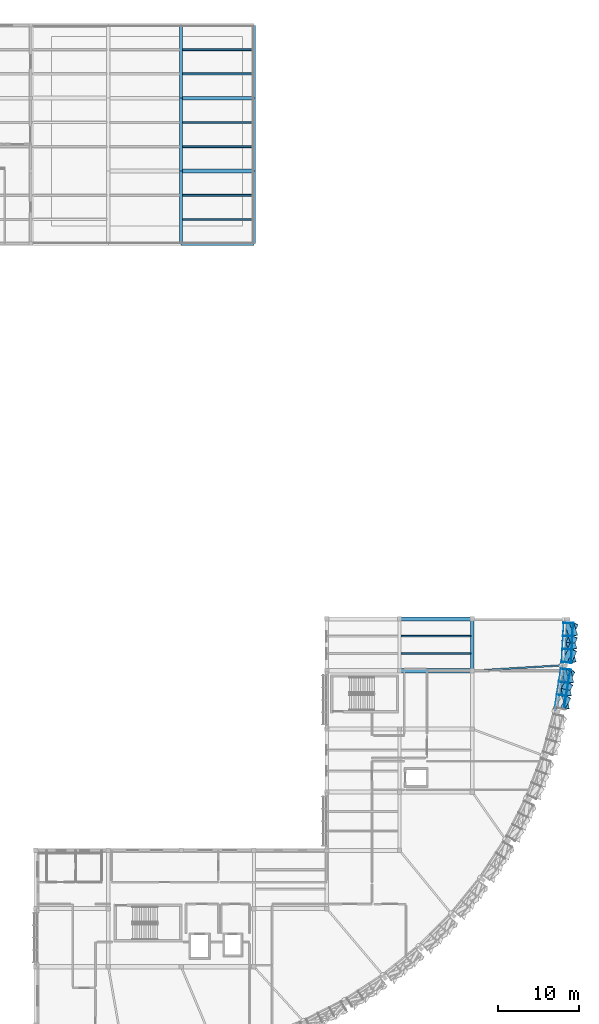
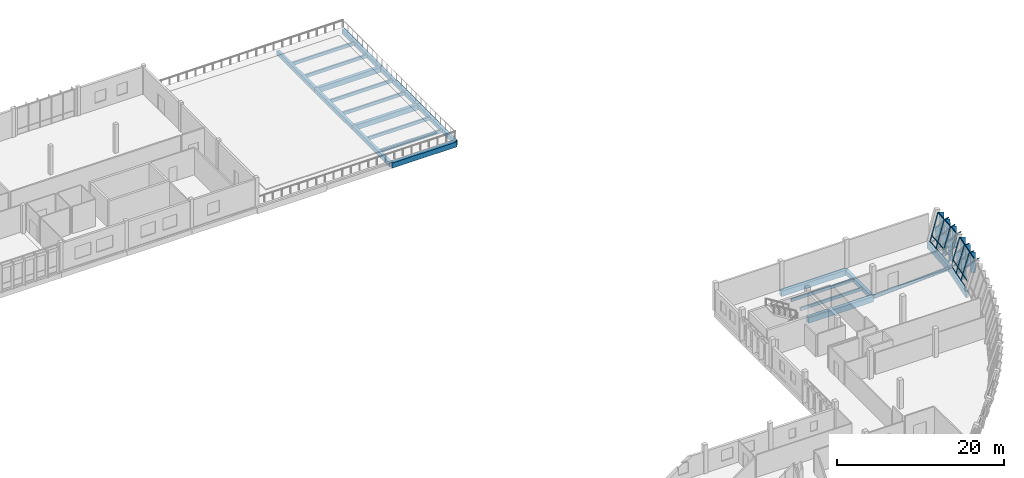
# One storey, part 59 of 94: 35 members, 23 beams, 2 elements without a shape of their own.
"""IFC4 building model written with IfcOpenShell, lengths in metres."""

from ifc_helpers import new_model, si_unit, direction, frame, origin, origin_2d, place, context, subcontext, project, spatial, rectangle, hollow_rectangle, i_section, extrude, material, material_profile, profile_set, type_object, element, aggregate, save


model = new_model("IFC4")

# Units and contexts
model_context = context("Model", 3, precision=1e-05, world=origin(), true_north=direction((0.0, 1.0)))
body_context = subcontext(model_context, "Body", "Model", "MODEL_VIEW")
ifc_project = project(units=[si_unit("LENGTHUNIT", "METRE"), si_unit("AREAUNIT", "SQUARE_METRE"), si_unit("VOLUMEUNIT", "CUBIC_METRE"), si_unit("PLANEANGLEUNIT", "RADIAN"), si_unit("MASSUNIT", "GRAM", prefix="KILO")], contexts=[model_context])

# Site, building, storey
site_placement = place(None, origin())
site = spatial("IfcSite", under=ifc_project, at=site_placement, CompositionType="ELEMENT")
building_placement = place(site_placement, origin())
building = spatial("IfcBuilding", under=site, at=building_placement, Name="Chiffa Square Polytechnic", CompositionType="ELEMENT")
storey_placement = place(building_placement, frame((0.0, 0.0, 18.0)))
storey = spatial("IfcBuildingStorey", under=building, at=storey_placement, Name="L04", CompositionType="ELEMENT", Elevation=18.0)

# Beams
ifc_material_1 = material(Name="Concrete C35/45", Category="concrete")
ifc_material_profile_1 = material_profile(ifc_material_1, rectangle(XDim=0.39990234375, YDim=0.64990234375, at=origin_2d()), Name="RC 400x650")
ifc_profile_set_1 = profile_set([ifc_material_profile_1], Name="Concrete C35/45")
beam_type_1 = type_object("IfcBeamType", Name="BM-RC-400X650", PredefinedType="BEAM", material=ifc_profile_set_1)
beam_1_placement = place(storey_placement, frame((166.199951171875, 51.0, -0.56494140625), z_axis=(0.0, 1.0, 0.0), x_axis=(-1.0, 0.0, 0.0)))
element("IfcBeam", 1, at=beam_1_placement, inside=storey, type_object=beam_type_1, Name="Primary floor girder BM-V1-L04-Y-1662-0510", PredefinedType="BEAM", context=body_context, shape_type="SweptSolid", body=[
    extrude(rectangle(XDim=0.39990234375, YDim=0.64990234375, at=origin_2d()), origin(), (0.0, 0.0, 1.0), 6.419921875),
])
for number, where, z_axis, x_axis, name in (
    (2, (130.199951171875, 103.800048828125, -0.56494140625), (0.0, 1.0, 0.0), (-1.0, 0.0, 0.0), "Primary floor girder BM-V5-L04-Y-1302-1038"),
    (3, (130.199951171875, 112.800048828125, -0.56494140625), (0.0, 1.0, 0.0), (-1.0, 0.0, 0.0), "Primary floor girder BM-V5-L04-Y-1302-1128"),
    (4, (130.199951171875, 121.800048828125, -0.56494140625), (0.0, 1.0, 0.0), (-1.0, 0.0, 0.0), "Primary floor girder BM-V5-L04-Y-1302-1218"),
    (5, (139.199951171875, 103.800048828125, -0.56494140625), (0.0, 1.0, 0.0), (-1.0, 0.0, 0.0), "Primary floor girder BM-V5-L04-Y-1392-1038"),
    (6, (139.199951171875, 112.800048828125, -0.56494140625), (0.0, 1.0, 0.0), (-1.0, 0.0, 0.0), "Primary floor girder BM-V5-L04-Y-1392-1128"),
    (7, (139.199951171875, 121.800048828125, -0.56494140625), (0.0, 1.0, 0.0), (-1.0, 0.0, 0.0), "Primary floor girder BM-V5-L04-Y-1392-1218"),
):
    element("IfcBeam", number, at=place(storey_placement, frame(where, z_axis=z_axis, x_axis=x_axis)), inside=storey, type_object=beam_type_1, Name=name, PredefinedType="BEAM", context=body_context, shape_type="SweptSolid", body=[
        extrude(rectangle(XDim=0.39990234375, YDim=0.64990234375, at=origin_2d()), origin(), (0.0, 0.0, 1.0), 9.0),
    ])
ifc_material_profile_2 = material_profile(ifc_material_1, rectangle(XDim=0.449951171875, YDim=0.75, at=origin_2d()), Name="RC 450x750")
ifc_profile_set_2 = profile_set([ifc_material_profile_2], Name="Concrete C35/45")
beam_type_2 = type_object("IfcBeamType", Name="BM-RC-450X750", PredefinedType="BEAM", material=ifc_profile_set_2)
for number, where, z_axis, x_axis, name in (
    (8, (130.199951171875, 103.800048828125, -0.614990234375), (1.0, 0.0, 0.0), (0.0, 1.0, 0.0), "Primary floor girder BM-V5-L04-X-1302-1038"),
    (9, (130.199951171875, 112.800048828125, -0.614990234375), (1.0, 0.0, 0.0), (0.0, 1.0, 0.0), "Primary floor girder BM-V5-L04-X-1302-1128"),
    (10, (130.199951171875, 121.800048828125, -0.614990234375), (1.0, 0.0, 0.0), (0.0, 1.0, 0.0), "Primary floor girder BM-V5-L04-X-1302-1218"),
):
    element("IfcBeam", number, at=place(storey_placement, frame(where, z_axis=z_axis, x_axis=x_axis)), inside=storey, type_object=beam_type_2, Name=name, PredefinedType="BEAM", context=body_context, shape_type="SweptSolid", body=[
        extrude(rectangle(XDim=0.449951171875, YDim=0.75, at=origin_2d()), origin(), (0.0, 0.0, 1.0), 9.0),
    ])
ifc_material_2 = material(Name="Concrete C40/50", Category="concrete")
ifc_material_profile_3 = material_profile(ifc_material_2, rectangle(XDim=0.5, YDim=0.800048828125, at=origin_2d()), Name="RC 500x800")
ifc_profile_set_3 = profile_set([ifc_material_profile_3], Name="Concrete C40/50")
beam_type_3 = type_object("IfcBeamType", Name="BM-RC-500X800", PredefinedType="BEAM", material=ifc_profile_set_3)
for number, where, z_axis, x_axis, name in (
    (11, (157.199951171875, 51.0, -0.639892578125), (1.0, 0.0, 0.0), (0.0, 1.0, 0.0), "Primary floor girder BM-V1-L04-X-1572-0510"),
    (12, (157.199951171875, 57.419921875, -0.639892578125), (1.0, 0.0, 0.0), (0.0, 1.0, 0.0), "Primary floor girder BM-V1-L04-X-1572-0574"),
):
    element("IfcBeam", number, at=place(storey_placement, frame(where, z_axis=z_axis, x_axis=x_axis)), inside=storey, type_object=beam_type_3, Name=name, PredefinedType="BEAM", context=body_context, shape_type="SweptSolid", body=[
        extrude(rectangle(XDim=0.5, YDim=0.800048828125, at=origin_2d()), origin(), (0.0, 0.0, 1.0), 9.0),
    ])
ifc_material_3 = material(Name="Steel S355", Category="steel")
ifc_material_profile_4 = material_profile(ifc_material_3, i_section(OverallWidth=0.199951171875, OverallDepth=0.5, WebThickness=0.01025390625, FlangeThickness=0.01611328125, FilletRadius=0.02099609375, at=origin_2d()), Name="IPE 500")
ifc_profile_set_4 = profile_set([ifc_material_profile_4], Name="Steel S355")
beam_type_4 = type_object("IfcBeamType", Name="BM-STL-IPE500", PredefinedType="BEAM", material=ifc_profile_set_4)
beam_2_placement = place(storey_placement, frame((177.279052734375, 51.666015625, -0.489990234375), z_axis=(-0.998198000691, -0.060006261478, 0.0), x_axis=(0.060006261478, -0.998198000691, 0.0)))
element("IfcBeam", 13, at=beam_2_placement, inside=storey, type_object=beam_type_4, Name="Prow radial tie girder BM-V1-RAD-L04-17", PredefinedType="BEAM", context=body_context, shape_type="SweptSolid", body=[
    extrude(i_section(OverallWidth=0.199951171875, OverallDepth=0.5, WebThickness=0.01025390625, FlangeThickness=0.01611328125, FilletRadius=0.02099609375, at=origin_2d()), origin(), (0.0, 0.0, 1.0), 11.09912109375),
])

# Curtain wall, members
ifc_material_4 = material(Name="Aluminium EN AW-6060 T66 and glulam shading", Category="wood")
curtain_wall_type_1 = type_object("IfcCurtainWallType", Name="CW-PROW-LEAN-300", PredefinedType="USERDEFINED", material=ifc_material_4)
curtain_wall_1_placement = place(storey_placement, origin())
curtain_wall_1 = element("IfcCurtainWall", 14, at=curtain_wall_1_placement, inside=storey, type_object=curtain_wall_type_1, Name="Outward-leaning diamond-fin prow curtain wall CW-V1-L04-076", ObjectType="CURTAIN WALL", PredefinedType="USERDEFINED")
ifc_material_5 = material(Name="Aluminium EN AW-6060 T66", Category="aluminium")
ifc_material_profile_5 = material_profile(ifc_material_5, hollow_rectangle(XDim=0.06494140625, YDim=0.179931640625, WallThickness=0.00390625, at=origin_2d()), Name="ALU 65x180x4")
ifc_profile_set_5 = profile_set([ifc_material_profile_5], Name="Aluminium EN AW-6060 T66")
member_type_1 = type_object("IfcMemberType", Name="CWM-ALU-75X180", PredefinedType="MULLION", material=ifc_profile_set_5)
member_1_placement = place(storey_placement, frame((176.7080078125, 48.059814453125, 0.0), z_axis=(0.267746512572, -0.047109074595, 0.962337020018), x_axis=(0.173284786211, 0.984871759605, 0.0)))
member_1 = element("IfcMember", 15, at=member_1_placement, type_object=member_type_1, Name="Leaning prow mullion CW-V1-L04-076-M01", PredefinedType="MULLION", context=body_context, shape_type="SweptSolid", body=[
    extrude(hollow_rectangle(XDim=0.06494140625, YDim=0.179931640625, WallThickness=0.00390625, at=origin_2d()), origin(), (0.0, 0.0, 1.0), 4.09423828125),
])
member_2_placement = place(storey_placement, frame((176.9599609375, 49.650390625, 0.0), z_axis=(0.269347703956, -0.037686019238, 0.962305345682), x_axis=(0.138566130568, 0.990353183192, 0.0)))
member_2 = element("IfcMember", 16, at=member_2_placement, type_object=member_type_1, Name="Leaning prow mullion CW-V1-L04-076-M02", PredefinedType="MULLION", context=body_context, shape_type="SweptSolid", body=[
    extrude(hollow_rectangle(XDim=0.06494140625, YDim=0.179931640625, WallThickness=0.00390625, at=origin_2d()), origin(), (0.0, 0.0, 1.0), 4.09423828125),
])
member_3_placement = place(storey_placement, frame((177.2119140625, 51.240966796875, 0.0), z_axis=(0.270868337882, -0.028321034667, 0.962199699921), x_axis=(0.103989595619, 0.994578385047, 0.0)))
member_3 = element("IfcMember", 17, at=member_3_placement, type_object=member_type_1, Name="Leaning prow mullion CW-V1-L04-076-M03", PredefinedType="MULLION", context=body_context, shape_type="SweptSolid", body=[
    extrude(hollow_rectangle(XDim=0.06494140625, YDim=0.179931640625, WallThickness=0.00390625, at=origin_2d()), origin(), (0.0, 0.0, 1.0), 4.0947265625),
])

curtain_wall_type_2 = type_object("IfcCurtainWallType", Name="CW-PROW-LEAN-150", PredefinedType="USERDEFINED", material=ifc_material_4)
curtain_wall_2_placement = place(storey_placement, origin())
curtain_wall_2 = element("IfcCurtainWall", 18, at=curtain_wall_2_placement, inside=storey, type_object=curtain_wall_type_2, Name="Outward-leaning diamond-fin prow curtain wall CW-V1-L04-077", ObjectType="CURTAIN WALL", PredefinedType="USERDEFINED")
member_4_placement = place(storey_placement, frame((177.302001953125, 52.094970703125, 0.0), z_axis=(0.270813087849, -0.028321492014, 0.962215238156), x_axis=(0.104012243066, 0.99457601685, 0.0)))
member_4 = element("IfcMember", 19, at=member_4_placement, type_object=member_type_1, Name="Leaning prow mullion CW-V1-L04-077-M00", PredefinedType="MULLION", context=body_context, shape_type="SweptSolid", body=[
    extrude(hollow_rectangle(XDim=0.06494140625, YDim=0.179931640625, WallThickness=0.00390625, at=origin_2d()), origin(), (0.0, 0.0, 1.0), 4.0947265625),
])
member_5_placement = place(storey_placement, frame((177.385986328125, 53.70361328125, 0.0), z_axis=(0.271370592416, -0.018902324279, 0.962289303541), x_axis=(0.069486656404, 0.997582881059, 0.0)))
member_5 = element("IfcMember", 20, at=member_5_placement, type_object=member_type_1, Name="Leaning prow mullion CW-V1-L04-077-M01", PredefinedType="MULLION", context=body_context, shape_type="SweptSolid", body=[
    extrude(hollow_rectangle(XDim=0.06494140625, YDim=0.179931640625, WallThickness=0.00390625, at=origin_2d()), origin(), (0.0, 0.0, 1.0), 4.09423828125),
])
member_6_placement = place(storey_placement, frame((177.469970703125, 55.312255859375, 0.0), z_axis=(0.271848900992, -0.00942139205, 0.962293828517), x_axis=(0.034635928801, 0.999399996216, 0.0)))
member_6 = element("IfcMember", 21, at=member_6_placement, type_object=member_type_1, Name="Leaning prow mullion CW-V1-L04-077-M02", PredefinedType="MULLION", context=body_context, shape_type="SweptSolid", body=[
    extrude(hollow_rectangle(XDim=0.06494140625, YDim=0.179931640625, WallThickness=0.00390625, at=origin_2d()), origin(), (0.0, 0.0, 1.0), 4.09423828125),
])
member_7_placement = place(storey_placement, frame((177.553955078125, 56.9208984375, 0.0), z_axis=(0.272302676243, 0.0, 0.962211646422), x_axis=(0.0, 1.0, 0.0)))
member_7 = element("IfcMember", 22, at=member_7_placement, type_object=member_type_1, Name="Leaning prow mullion CW-V1-L04-077-M03", PredefinedType="MULLION", context=body_context, shape_type="SweptSolid", body=[
    extrude(hollow_rectangle(XDim=0.06494140625, YDim=0.179931640625, WallThickness=0.00390625, at=origin_2d()), origin(), (0.0, 0.0, 1.0), 4.0947265625),
])

# Member
ifc_material_6 = material(Name="Glulam GL28h", Category="wood")
ifc_material_profile_6 = material_profile(ifc_material_6, rectangle(XDim=0.080078125, YDim=0.580078125, at=origin_2d()), Name="GL28h 80x580")
ifc_profile_set_6 = profile_set([ifc_material_profile_6], Name="Glulam GL28h")
member_type_2 = type_object("IfcMemberType", Name="CWM-GL-80X580", PredefinedType="MULLION", material=ifc_profile_set_6)
member_8_placement = place(storey_placement, frame((177.385009765625, 46.383056640625, 1.969970703125), z_axis=(0.30934733626, 0.541778013008, 0.781524670225), x_axis=(-0.518596150402, -0.592759406923, 0.61619340981)))
member_8 = element("IfcMember", 23, at=member_8_placement, type_object=member_type_2, Name="Diamond glulam fin CW-V1-L04-076-DF02A", PredefinedType="MULLION", context=body_context, shape_type="SweptSolid", body=[
    extrude(rectangle(XDim=0.080078125, YDim=0.580078125, at=origin_2d()), origin(), (0.0, 0.0, 1.0), 2.469482421875),
])

member_9_placement = place(storey_placement, frame((177.612060546875, 47.81591796875, 1.969970703125), z_axis=(0.123192284973, -0.620175639864, 0.77472952483), x_axis=(0.004351113162, 0.781006122906, 0.624508209552)))
member_9 = element("IfcMember", 24, at=member_9_placement, type_object=member_type_2, Name="Diamond glulam fin CW-V1-L04-076-DF02B", PredefinedType="MULLION", context=body_context, shape_type="SweptSolid", body=[
    extrude(rectangle(XDim=0.080078125, YDim=0.580078125, at=origin_2d()), origin(), (0.0, 0.0, 1.0), 2.4912109375),
])

member_10_placement = place(storey_placement, frame((177.10302734375, 48.0869140625, 0.0400390625), z_axis=(0.309621958021, 0.542060785108, 0.781219782366), x_axis=(-0.518540099286, -0.592416276937, 0.616570450356)))
member_10 = element("IfcMember", 25, at=member_10_placement, type_object=member_type_2, Name="Diamond glulam fin CW-V1-L04-076-DF03A", PredefinedType="MULLION", context=body_context, shape_type="SweptSolid", body=[
    extrude(rectangle(XDim=0.080078125, YDim=0.580078125, at=origin_2d()), origin(), (0.0, 0.0, 1.0), 2.470458984375),
])

member_11_placement = place(storey_placement, frame((177.327880859375, 49.5029296875, 0.0400390625), z_axis=(0.126794170464, -0.611240798378, 0.781222071331), x_axis=(-0.003549446021, 0.787293954019, 0.616567621107)))
member_11 = element("IfcMember", 26, at=member_11_placement, type_object=member_type_2, Name="Diamond glulam fin CW-V1-L04-076-DF03B", PredefinedType="MULLION", context=body_context, shape_type="SweptSolid", body=[
    extrude(rectangle(XDim=0.080078125, YDim=0.580078125, at=origin_2d()), origin(), (0.0, 0.0, 1.0), 2.470458984375),
])

member_12_placement = place(storey_placement, frame((177.64111328125, 47.992919921875, 1.969970703125), z_axis=(0.309172516444, 0.546785523351, 0.778098931069), x_axis=(-0.514439823064, -0.591984151556, 0.620408279081)))
member_12 = element("IfcMember", 27, at=member_12_placement, type_object=member_type_2, Name="Diamond glulam fin CW-V1-L04-076-DF04A", PredefinedType="MULLION", context=body_context, shape_type="SweptSolid", body=[
    extrude(rectangle(XDim=0.080078125, YDim=0.580078125, at=origin_2d()), origin(), (0.0, 0.0, 1.0), 2.480224609375),
])

member_13_placement = place(storey_placement, frame((177.867919921875, 49.426025390625, 1.969970703125), z_axis=(0.125029481071, -0.615401012737, 0.778234683361), x_axis=(0.000263708741, 0.784410353879, 0.620242152055)))
member_13 = element("IfcMember", 28, at=member_13_placement, type_object=member_type_2, Name="Diamond glulam fin CW-V1-L04-076-DF04B", PredefinedType="MULLION", context=body_context, shape_type="SweptSolid", body=[
    extrude(rectangle(XDim=0.080078125, YDim=0.580078125, at=origin_2d()), origin(), (0.0, 0.0, 1.0), 2.47998046875),
])

member_14_placement = place(storey_placement, frame((177.35498046875, 49.677978515625, 0.0400390625), z_axis=(0.309500907934, 0.547185012692, 0.777687437132), x_axis=(-0.514323747962, -0.591557367971, 0.620911396805)))
member_14 = element("IfcMember", 29, at=member_14_placement, type_object=member_type_2, Name="Diamond glulam fin CW-V1-L04-076-DF05A", PredefinedType="MULLION", context=body_context, shape_type="SweptSolid", body=[
    extrude(rectangle(XDim=0.080078125, YDim=0.580078125, at=origin_2d()), origin(), (0.0, 0.0, 1.0), 2.481689453125),
])

member_15_placement = place(storey_placement, frame((177.580078125, 51.093994140625, 0.0400390625), z_axis=(0.128466289397, -0.606293376621, 0.784795995119), x_axis=(-0.007637528127, 0.790724921718, 0.612123979548)))
member_15 = element("IfcMember", 30, at=member_15_placement, type_object=member_type_2, Name="Diamond glulam fin CW-V1-L04-076-DF05B", PredefinedType="MULLION", context=body_context, shape_type="SweptSolid", body=[
    extrude(rectangle(XDim=0.080078125, YDim=0.580078125, at=origin_2d()), origin(), (0.0, 0.0, 1.0), 2.459228515625),
])

member_16_placement = place(storey_placement, frame((177.89599609375, 49.60302734375, 1.969970703125), z_axis=(0.309043204592, 0.551848867553, 0.774567702061), x_axis=(-0.510293365715, -0.591054651358, 0.624703993917)))
member_16 = element("IfcMember", 31, at=member_16_placement, type_object=member_type_2, Name="Diamond glulam fin CW-V1-L04-076-DF06A", PredefinedType="MULLION", context=body_context, shape_type="SweptSolid", body=[
    extrude(rectangle(XDim=0.080078125, YDim=0.580078125, at=origin_2d()), origin(), (0.0, 0.0, 1.0), 2.49169921875),
])

member_17_placement = place(storey_placement, frame((178.123046875, 51.035888671875, 1.969970703125), z_axis=(0.126765818943, -0.610690871914, 0.781656629287), x_axis=(-0.003742632036, 0.787713718568, 0.616030105015)))
member_17 = element("IfcMember", 32, at=member_17_placement, type_object=member_type_2, Name="Diamond glulam fin CW-V1-L04-076-DF06B", PredefinedType="MULLION", context=body_context, shape_type="SweptSolid", body=[
    extrude(rectangle(XDim=0.080078125, YDim=0.580078125, at=origin_2d()), origin(), (0.0, 0.0, 1.0), 2.468994140625),
])

member_18_placement = place(storey_placement, frame((177.69189453125, 52.1630859375, 0.0400390625), z_axis=(0.251759634088, 0.566359902395, 0.784763370452), x_axis=(-0.366156197717, -0.69486357201, 0.618946084216)))
member_18 = element("IfcMember", 33, at=member_18_placement, type_object=member_type_2, Name="Diamond glulam fin CW-V1-L04-077-DF01A", PredefinedType="MULLION", context=body_context, shape_type="SweptSolid", body=[
    extrude(rectangle(XDim=0.080078125, YDim=0.580078125, at=origin_2d()), origin(), (0.0, 0.0, 1.0), 2.459228515625),
])

member_19_placement = place(storey_placement, frame((177.76708984375, 53.594970703125, 0.0400390625), z_axis=(0.188980825465, -0.5996033999, 0.777664458771), x_axis=(-0.183529818259, 0.756413507135, 0.627817976833)))
member_19 = element("IfcMember", 34, at=member_19_placement, type_object=member_type_2, Name="Diamond glulam fin CW-V1-L04-077-DF01B", PredefinedType="MULLION", context=body_context, shape_type="SweptSolid", body=[
    extrude(rectangle(XDim=0.080078125, YDim=0.580078125, at=origin_2d()), origin(), (0.0, 0.0, 1.0), 2.481689453125),
])

member_20_placement = place(storey_placement, frame((178.236083984375, 52.10693359375, 1.969970703125), z_axis=(0.25066175084, 0.571133046489, 0.781649365044), x_axis=(-0.361624710379, -0.693735436997, 0.622863317509)))
member_20 = element("IfcMember", 35, at=member_20_placement, type_object=member_type_2, Name="Diamond glulam fin CW-V1-L04-077-DF02A", PredefinedType="MULLION", context=body_context, shape_type="SweptSolid", body=[
    extrude(rectangle(XDim=0.080078125, YDim=0.580078125, at=origin_2d()), origin(), (0.0, 0.0, 1.0), 2.468994140625),
])

member_21_placement = place(storey_placement, frame((178.31103515625, 53.555908203125, 1.969970703125), z_axis=(0.187833957204, -0.603968968288, 0.774557867345), x_axis=(-0.179729708699, 0.754143823981, 0.631636228032)))
member_21 = element("IfcMember", 36, at=member_21_placement, type_object=member_type_2, Name="Diamond glulam fin CW-V1-L04-077-DF02B", PredefinedType="MULLION", context=body_context, shape_type="SweptSolid", body=[
    extrude(rectangle(XDim=0.080078125, YDim=0.580078125, at=origin_2d()), origin(), (0.0, 0.0, 1.0), 2.49169921875),
])

member_22_placement = place(storey_placement, frame((177.77587890625, 53.77197265625, 0.0400390625), z_axis=(0.251011573149, 0.571594857911, 0.781199403836), x_axis=(-0.361593753936, -0.693245951778, 0.623426024046)))
member_22 = element("IfcMember", 37, at=member_22_placement, type_object=member_type_2, Name="Diamond glulam fin CW-V1-L04-077-DF03A", PredefinedType="MULLION", context=body_context, shape_type="SweptSolid", body=[
    extrude(rectangle(XDim=0.080078125, YDim=0.580078125, at=origin_2d()), origin(), (0.0, 0.0, 1.0), 2.470458984375),
])

member_23_placement = place(storey_placement, frame((177.85107421875, 55.2041015625, 0.0400390625), z_axis=(0.190231751024, -0.594610101772, 0.781185450308), x_axis=(-0.187863700622, 0.758963425643, 0.623443460568)))
member_23 = element("IfcMember", 38, at=member_23_placement, type_object=member_type_2, Name="Diamond glulam fin CW-V1-L04-077-DF03B", PredefinedType="MULLION", context=body_context, shape_type="SweptSolid", body=[
    extrude(rectangle(XDim=0.080078125, YDim=0.580078125, at=origin_2d()), origin(), (0.0, 0.0, 1.0), 2.470458984375),
])

member_24_placement = place(storey_placement, frame((178.321044921875, 53.735107421875, 1.969970703125), z_axis=(0.249940857541, 0.576173233237, 0.778173485177), x_axis=(-0.35727345602, -0.69209107707, 0.627188662735)))
member_24 = element("IfcMember", 39, at=member_24_placement, type_object=member_type_2, Name="Diamond glulam fin CW-V1-L04-077-DF04A", PredefinedType="MULLION", context=body_context, shape_type="SweptSolid", body=[
    extrude(rectangle(XDim=0.080078125, YDim=0.580078125, at=origin_2d()), origin(), (0.0, 0.0, 1.0), 2.47998046875),
])

member_25_placement = place(storey_placement, frame((178.39599609375, 55.18408203125, 1.969970703125), z_axis=(0.189070008947, -0.599098982019, 0.778031452745), x_axis=(-0.183925086021, 0.756693807239, 0.627364363682)))
member_25 = element("IfcMember", 40, at=member_25_placement, type_object=member_type_2, Name="Diamond glulam fin CW-V1-L04-077-DF04B", PredefinedType="MULLION", context=body_context, shape_type="SweptSolid", body=[
    extrude(rectangle(XDim=0.080078125, YDim=0.580078125, at=origin_2d()), origin(), (0.0, 0.0, 1.0), 2.48046875),
])

member_26_placement = place(storey_placement, frame((177.860107421875, 55.381103515625, 0.0400390625), z_axis=(0.250196410854, 0.576642219432, 0.777743856784), x_axis=(-0.357155318387, -0.691670314948, 0.627719884955)))
member_26 = element("IfcMember", 41, at=member_26_placement, type_object=member_type_2, Name="Diamond glulam fin CW-V1-L04-077-DF05A", PredefinedType="MULLION", context=body_context, shape_type="SweptSolid", body=[
    extrude(rectangle(XDim=0.080078125, YDim=0.580078125, at=origin_2d()), origin(), (0.0, 0.0, 1.0), 2.4814453125),
])

member_27_placement = place(storey_placement, frame((177.93505859375, 56.81298828125, 0.0400390625), z_axis=(0.191486505912, -0.589548138213, 0.784707532004), x_axis=(-0.192300230508, 0.76147158148, 0.619016681475)))
member_27 = element("IfcMember", 42, at=member_27_placement, type_object=member_type_2, Name="Diamond glulam fin CW-V1-L04-077-DF05B", PredefinedType="MULLION", context=body_context, shape_type="SweptSolid", body=[
    extrude(rectangle(XDim=0.080078125, YDim=0.580078125, at=origin_2d()), origin(), (0.0, 0.0, 1.0), 2.45947265625),
])

member_28_placement = place(storey_placement, frame((178.406005859375, 55.363037109375, 1.969970703125), z_axis=(0.249294714244, 0.581197700542, 0.774636287773), x_axis=(-0.353041020896, -0.690303461318, 0.631540314514)))
member_28 = element("IfcMember", 43, at=member_28_placement, type_object=member_type_2, Name="Diamond glulam fin CW-V1-L04-077-DF06A", PredefinedType="MULLION", context=body_context, shape_type="SweptSolid", body=[
    extrude(rectangle(XDim=0.080078125, YDim=0.580078125, at=origin_2d()), origin(), (0.0, 0.0, 1.0), 2.491455078125),
])

member_29_placement = place(storey_placement, frame((178.48095703125, 56.81201171875, 1.969970703125), z_axis=(0.190321179308, -0.594098683877, 0.781552686978), x_axis=(-0.188268783915, 0.759240040632, 0.622984290094)))
member_29 = element("IfcMember", 44, at=member_29_placement, type_object=member_type_2, Name="Diamond glulam fin CW-V1-L04-077-DF06B", PredefinedType="MULLION", context=body_context, shape_type="SweptSolid", body=[
    extrude(rectangle(XDim=0.080078125, YDim=0.580078125, at=origin_2d()), origin(), (0.0, 0.0, 1.0), 2.46923828125),
])

ifc_material_profile_7 = material_profile(ifc_material_5, hollow_rectangle(XDim=0.06494140625, YDim=0.139892578125, WallThickness=0.00390625, at=origin_2d()), Name="ALU 65x140x4")
ifc_profile_set_7 = profile_set([ifc_material_profile_7], Name="Aluminium EN AW-6060 T66")
member_type_3 = type_object("IfcMemberType", Name="CWT-ALU-75X140", PredefinedType="USERDEFINED", material=ifc_profile_set_7)
member_30_placement = place(storey_placement, frame((176.467041015625, 46.466796875, 0.0400390625), z_axis=(0.156512540146, 0.98767597155, 0.0), x_axis=(-0.98767597155, 0.156512540146, 0.0)))
member_30 = element("IfcMember", 45, at=member_30_placement, type_object=member_type_3, Name="Leaning prow transom CW-V1-L04-076-T01", ObjectType="TRANSOM", PredefinedType="USERDEFINED", context=body_context, shape_type="SweptSolid", body=[
    extrude(hollow_rectangle(XDim=0.06494140625, YDim=0.139892578125, WallThickness=0.00390625, at=origin_2d()), origin(), (0.0, 0.0, 1.0), 4.83251953125),
])

member_31_placement = place(storey_placement, frame((176.691162109375, 46.419189453125, 0.85009765625), z_axis=(0.156535606285, 0.987672316087, 0.0), x_axis=(-0.987672316087, 0.156535606285, 0.0)))
member_31 = element("IfcMember", 46, at=member_31_placement, type_object=member_type_3, Name="Leaning prow transom CW-V1-L04-076-T02", ObjectType="TRANSOM", PredefinedType="USERDEFINED", context=body_context, shape_type="SweptSolid", body=[
    extrude(hollow_rectangle(XDim=0.06494140625, YDim=0.139892578125, WallThickness=0.00390625, at=origin_2d()), origin(), (0.0, 0.0, 1.0), 4.856689453125),
])

member_32_placement = place(storey_placement, frame((177.534912109375, 46.240234375, 3.89990234375), z_axis=(0.156639175222, 0.98765589594, 0.0), x_axis=(-0.98765589594, 0.156639175222, 0.0)))
member_32 = element("IfcMember", 47, at=member_32_placement, type_object=member_type_3, Name="Leaning prow transom CW-V1-L04-076-T03", ObjectType="TRANSOM", PredefinedType="USERDEFINED", context=body_context, shape_type="SweptSolid", body=[
    extrude(hollow_rectangle(XDim=0.06494140625, YDim=0.139892578125, WallThickness=0.00390625, at=origin_2d()), origin(), (0.0, 0.0, 1.0), 4.947021484375),
])

aggregate(curtain_wall_1, [member_1, member_2, member_3, member_30, member_31, member_32, member_8, member_9, member_10, member_11, member_12, member_13, member_14, member_15, member_16, member_17])

member_33_placement = place(storey_placement, frame((177.313232421875, 52.09375, 0.0400390625), z_axis=(0.052124070222, 0.99864061669, 0.0), x_axis=(-0.99864061669, 0.052124070222, 0.0)))
member_33 = element("IfcMember", 48, at=member_33_placement, type_object=member_type_3, Name="Leaning prow transom CW-V1-L04-077-T01", ObjectType="TRANSOM", PredefinedType="USERDEFINED", context=body_context, shape_type="SweptSolid", body=[
    extrude(hollow_rectangle(XDim=0.06494140625, YDim=0.139892578125, WallThickness=0.00390625, at=origin_2d()), origin(), (0.0, 0.0, 1.0), 4.833740234375),
])

member_34_placement = place(storey_placement, frame((177.541259765625, 52.070068359375, 0.85009765625), z_axis=(0.052120916513, 0.998640781293, 0.0), x_axis=(-0.998640781293, 0.052120916513, 0.0)))
member_34 = element("IfcMember", 49, at=member_34_placement, type_object=member_type_3, Name="Leaning prow transom CW-V1-L04-077-T02", ObjectType="TRANSOM", PredefinedType="USERDEFINED", context=body_context, shape_type="SweptSolid", body=[
    extrude(hollow_rectangle(XDim=0.06494140625, YDim=0.139892578125, WallThickness=0.00390625, at=origin_2d()), origin(), (0.0, 0.0, 1.0), 4.857421875),
])

member_35_placement = place(storey_placement, frame((178.399658203125, 51.980224609375, 3.89990234375), z_axis=(0.052159962, 0.998638742671, 0.0), x_axis=(-0.998638742671, 0.052159962, 0.0)))
member_35 = element("IfcMember", 50, at=member_35_placement, type_object=member_type_3, Name="Leaning prow transom CW-V1-L04-077-T03", ObjectType="TRANSOM", PredefinedType="USERDEFINED", context=body_context, shape_type="SweptSolid", body=[
    extrude(hollow_rectangle(XDim=0.06494140625, YDim=0.139892578125, WallThickness=0.00390625, at=origin_2d()), origin(), (0.0, 0.0, 1.0), 4.947509765625),
])

aggregate(curtain_wall_2, [member_4, member_5, member_6, member_7, member_33, member_34, member_35, member_18, member_19, member_20, member_21, member_22, member_23, member_24, member_25, member_26, member_27, member_28, member_29])

# Beams
ifc_material_profile_8 = material_profile(ifc_material_6, rectangle(XDim=0.199951171875, YDim=0.43994140625, at=origin_2d()), Name="GL28h 200x440")
ifc_profile_set_8 = profile_set([ifc_material_profile_8], Name="Glulam GL28h")
beam_type_5 = type_object("IfcBeamType", Name="JST-GL-200X440", PredefinedType="JOIST", material=ifc_profile_set_8)
for number, where, z_axis, x_axis, name in (
    (51, (157.39794921875, 53.139892578125, -0.4599609375), (1.0, 0.0, 0.0), (0.0, 1.0, 0.0), "Secondary floor joist JST-V1-L04-1572-0531"),
    (52, (157.39794921875, 55.280029296875, -0.4599609375), (1.0, 0.0, 0.0), (0.0, 1.0, 0.0), "Secondary floor joist JST-V1-L04-1572-0553"),
):
    element("IfcBeam", number, at=place(storey_placement, frame(where, z_axis=z_axis, x_axis=x_axis)), inside=storey, type_object=beam_type_5, Name=name, PredefinedType="JOIST", context=body_context, shape_type="SweptSolid", body=[
        extrude(rectangle(XDim=0.199951171875, YDim=0.43994140625, at=origin_2d()), origin(), (0.0, 0.0, 1.0), 8.60400390625),
    ])
ifc_material_profile_9 = material_profile(ifc_material_6, rectangle(XDim=0.219970703125, YDim=0.47998046875, at=origin_2d()), Name="GL28h 220x480")
ifc_profile_set_9 = profile_set([ifc_material_profile_9], Name="Glulam GL28h")
beam_type_6 = type_object("IfcBeamType", Name="JST-GL-220X480", PredefinedType="JOIST", material=ifc_profile_set_9)
for number, where, z_axis, x_axis, name in (
    (53, (130.39794921875, 106.800048828125, -0.47998046875), (1.0, 0.0, 0.0), (0.0, 1.0, 0.0), "Secondary floor joist JST-V5-L04-1302-1068"),
    (54, (130.39794921875, 109.800048828125, -0.47998046875), (1.0, 0.0, 0.0), (0.0, 1.0, 0.0), "Secondary floor joist JST-V5-L04-1302-1098"),
    (55, (130.39794921875, 115.800048828125, -0.47998046875), (1.0, 0.0, 0.0), (0.0, 1.0, 0.0), "Secondary floor joist JST-V5-L04-1302-1158"),
    (56, (130.39794921875, 118.800048828125, -0.47998046875), (1.0, 0.0, 0.0), (0.0, 1.0, 0.0), "Secondary floor joist JST-V5-L04-1302-1188"),
    (57, (130.39794921875, 124.800048828125, -0.47998046875), (1.0, 0.0, 0.0), (0.0, 1.0, 0.0), "Secondary floor joist JST-V5-L04-1302-1248"),
    (58, (130.39794921875, 127.800048828125, -0.47998046875), (1.0, 0.0, 0.0), (0.0, 1.0, 0.0), "Secondary floor joist JST-V5-L04-1302-1278"),
):
    element("IfcBeam", number, at=place(storey_placement, frame(where, z_axis=z_axis, x_axis=x_axis)), inside=storey, type_object=beam_type_6, Name=name, PredefinedType="JOIST", context=body_context, shape_type="SweptSolid", body=[
        extrude(rectangle(XDim=0.219970703125, YDim=0.47998046875, at=origin_2d()), origin(), (0.0, 0.0, 1.0), 8.60400390625),
    ])
ifc_material_7 = material(Name="Glulam GL32c", Category="wood")
ifc_material_profile_10 = material_profile(ifc_material_7, rectangle(XDim=0.360107421875, YDim=0.89990234375, at=origin_2d()), Name="GL32c 360x900")
ifc_profile_set_10 = profile_set([ifc_material_profile_10], Name="Glulam GL32c")
beam_type_7 = type_object("IfcBeamType", Name="RB-GL-360X900", PredefinedType="SPANDREL", material=ifc_profile_set_10)
beam_3_placement = place(storey_placement, frame((176.388916015625, 46.0439453125, -0.68994140625), z_axis=(0.156381037739, 0.987696801167, 0.0), x_axis=(-0.987696801167, 0.156381037739, 0.0)))
element("IfcBeam", 59, at=beam_3_placement, inside=storey, type_object=beam_type_7, Name="Prow perimeter edge beam RB-V1-PROW-L04-16", PredefinedType="SPANDREL", context=body_context, shape_type="SweptSolid", body=[
    extrude(rectangle(XDim=0.360107421875, YDim=0.89990234375, at=origin_2d()), origin(), (0.0, 0.0, 1.0), 5.692138671875),
])
beam_4_placement = place(storey_placement, frame((177.279052734375, 51.666015625, -0.68994140625), z_axis=(0.052329201283, 0.998629888744, 0.0), x_axis=(-0.998629888744, 0.052329201283, 0.0)))
element("IfcBeam", 60, at=beam_4_placement, inside=storey, type_object=beam_type_7, Name="Prow perimeter edge beam RB-V1-PROW-L04-17", PredefinedType="SPANDREL", context=body_context, shape_type="SweptSolid", body=[
    extrude(rectangle(XDim=0.360107421875, YDim=0.89990234375, at=origin_2d()), origin(), (0.0, 0.0, 1.0), 5.69189453125),
])

save(model, "model.ifc")
